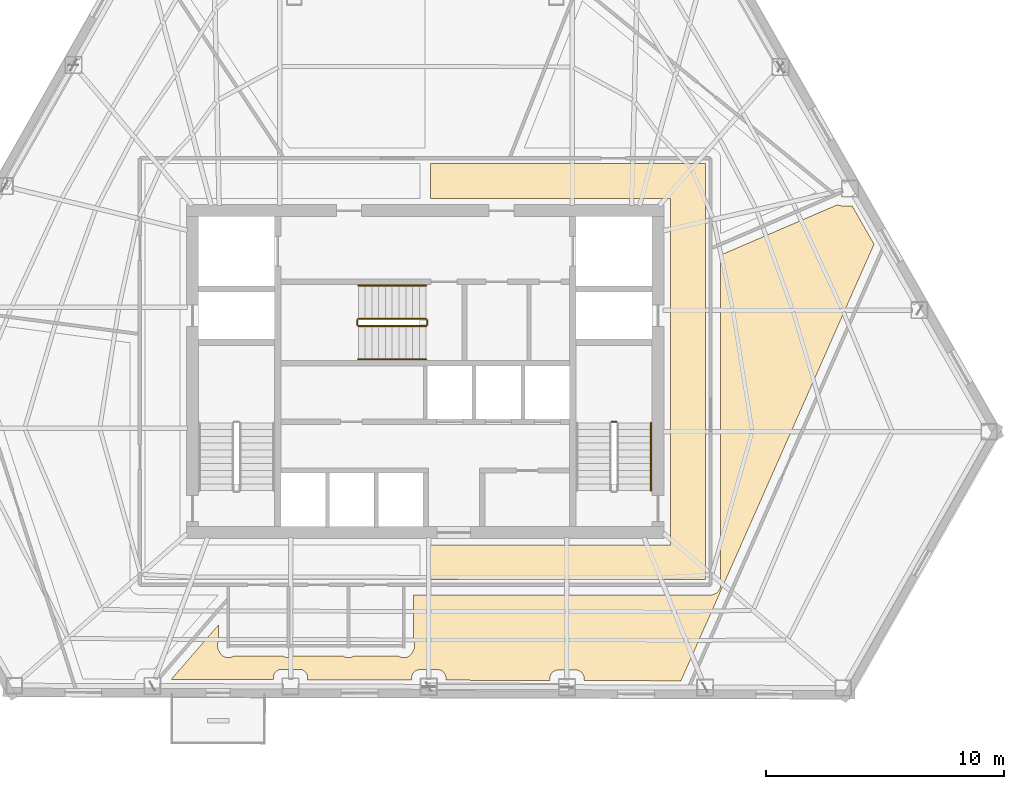
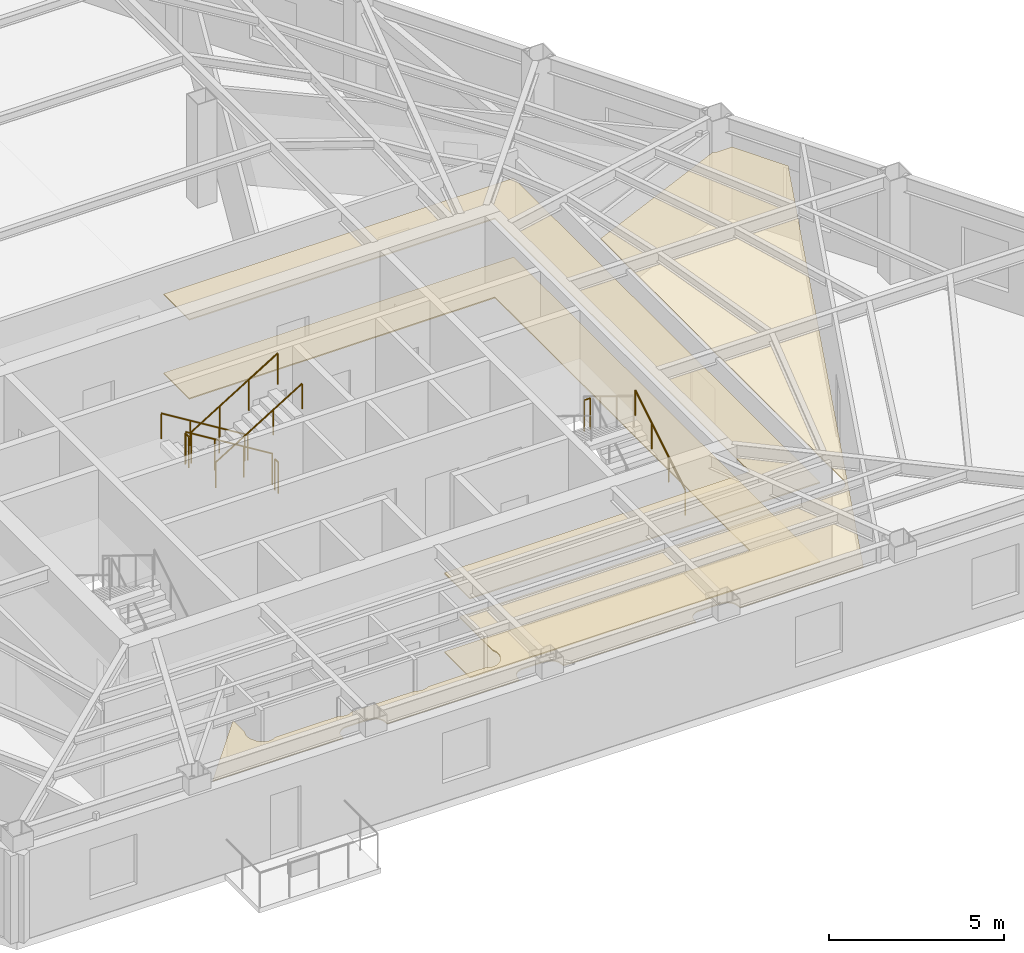
# One storey, part 12 of 13: 8 railings, 3 coverings.
"""IFC4 building model written with IfcOpenShell, lengths in metres."""

from ifc_helpers import new_model, si_unit, direction, frame, origin, origin_2d, place, context, subcontext, project, spatial, polyline, circle, outline, extrude, material, layer, layer_set, type_object, element, save


model = new_model("IFC4")

# Units and contexts
model_context = context("Model", 3, precision=1e-05, world=origin(), true_north=direction((0.0, 1.0)))
body_context = subcontext(model_context, "Body", "Model", "MODEL_VIEW")
ifc_project = project(units=[si_unit("LENGTHUNIT", "METRE"), si_unit("AREAUNIT", "SQUARE_METRE"), si_unit("VOLUMEUNIT", "CUBIC_METRE"), si_unit("PLANEANGLEUNIT", "RADIAN"), si_unit("MASSUNIT", "GRAM", prefix="KILO")], contexts=[model_context])

# Site, building, storey
site_placement = place(None, origin())
site = spatial("IfcSite", under=ifc_project, at=site_placement, CompositionType="ELEMENT")
building_placement = place(site_placement, origin())
building = spatial("IfcBuilding", under=site, at=building_placement, Name="Kavelnor Concourse Tower", CompositionType="ELEMENT")
storey_placement = place(building_placement, frame((0.0, 0.0, 97.050048828125)))
storey = spatial("IfcBuildingStorey", under=building, at=storey_placement, Name="L24", CompositionType="ELEMENT", Elevation=97.050048828125)

# Coverings
ifc_material_1 = material(Name="Mineral fibre acoustic ceiling tile")
ifc_layer_1 = layer(ifc_material_1, 0.0400390625, Name="Mineral fibre acoustic ceiling tile")
ifc_layer_set_1 = layer_set([ifc_layer_1], Name="Mineral fibre acoustic ceiling tile")
covering_type_1 = type_object("IfcCoveringType", Name="COV-CEILING-ACOUSTIC", PredefinedType="CEILING", material=ifc_layer_set_1)
covering_1_placement = place(storey_placement, frame((0.0, 0.0, 2.75)))
element("IfcCovering", 1, at=covering_1_placement, inside=storey, type_object=covering_type_1, Name="L24 Suspended Acoustic Ceiling", PredefinedType="CEILING", context=body_context, shape_type="SweptSolid", body=[
    extrude(outline(polyline([(49.75, 7.3701171875), (38.22509765625, 7.3701171875), (38.22509765625, 8.830078125), (48.2900390625, 8.830078125), (48.2900390625, 23.3701171875), (38.22509765625, 23.3701171875), (38.22509765625, 24.830078125), (49.75, 24.830078125), (49.75, 7.3701171875)])), origin(), (0.0, 0.0, 1.0), 0.0400390625),
])
covering_2_placement = place(storey_placement, frame((0.0, 0.0, 2.75)))
element("IfcCovering", 2, at=covering_2_placement, inside=storey, type_object=covering_type_1, Name="L24 Suspended Acoustic Ceiling", PredefinedType="CEILING", context=body_context, shape_type="SweptSolid", body=[
    extrude(outline(polyline([(29.3349609375, 5.481201171875), (29.3349609375, 4.79541015625), (29.33251953125, 4.791015625), (29.3154296875, 4.755126953125), (29.302001953125, 4.7177734375), (29.29248046875, 4.67919921875), (29.28662109375, 4.6396484375), (29.28466796875, 4.60009765625), (29.28662109375, 4.560302734375), (29.29248046875, 4.52099609375), (29.302001953125, 4.482421875), (29.3154296875, 4.44482421875), (29.33251953125, 4.408935546875), (29.352783203125, 4.374755859375), (29.3564453125, 4.3701171875), (29.365478515625, 4.344970703125), (29.382568359375, 4.308837890625), (29.40283203125, 4.27490234375), (29.426513671875, 4.242919921875), (29.453369140625, 4.21337890625), (29.48291015625, 4.1865234375), (29.514892578125, 4.162841796875), (29.548828125, 4.142578125), (29.5849609375, 4.12548828125), (29.622314453125, 4.112060546875), (29.660888671875, 4.102294921875), (29.7001953125, 4.096435546875), (29.739990234375, 4.094482421875), (29.77978515625, 4.096435546875), (29.819091796875, 4.102294921875), (29.857666015625, 4.112060546875), (29.89501953125, 4.12548828125), (29.93115234375, 4.142578125), (29.96044921875, 4.159912109375), (32.03955078125, 4.159912109375), (32.06884765625, 4.142578125), (32.10498046875, 4.12548828125), (32.142333984375, 4.112060546875), (32.180908203125, 4.102294921875), (32.22021484375, 4.096435546875), (32.260009765625, 4.094482421875), (32.2998046875, 4.096435546875), (32.339111328125, 4.102294921875), (32.377685546875, 4.112060546875), (32.4150390625, 4.12548828125), (32.451171875, 4.142578125), (32.48046875, 4.159912109375), (34.5595703125, 4.159912109375), (34.5888671875, 4.142578125), (34.625, 4.12548828125), (34.662353515625, 4.112060546875), (34.700927734375, 4.102294921875), (34.740234375, 4.096435546875), (34.780029296875, 4.094482421875), (34.819580078125, 4.096435546875), (34.859130859375, 4.102294921875), (34.897705078125, 4.112060546875), (34.93505859375, 4.12548828125), (34.97119140625, 4.142578125), (35.00048828125, 4.159912109375), (36.879638671875, 4.159912109375), (36.908935546875, 4.142578125), (36.94482421875, 4.12548828125), (36.982421875, 4.112060546875), (37.02099609375, 4.102294921875), (37.060302734375, 4.096435546875), (37.10009765625, 4.094482421875), (37.1396484375, 4.096435546875), (37.17919921875, 4.102294921875), (37.2177734375, 4.112060546875), (37.255126953125, 4.12548828125), (37.291015625, 4.142578125), (37.3251953125, 4.162841796875), (37.357177734375, 4.1865234375), (37.38671875, 4.21337890625), (37.413330078125, 4.242919921875), (37.43701171875, 4.27490234375), (37.45751953125, 4.308837890625), (37.474609375, 4.344970703125), (37.4833984375, 4.3701171875), (37.487060546875, 4.374755859375), (37.507568359375, 4.408935546875), (37.524658203125, 4.44482421875), (37.5380859375, 4.482421875), (37.547607421875, 4.52099609375), (37.553466796875, 4.560302734375), (37.555419921875, 4.60009765625), (37.553466796875, 4.6396484375), (37.547607421875, 4.67919921875), (37.5380859375, 4.7177734375), (37.524658203125, 4.755126953125), (37.507568359375, 4.791015625), (37.5048828125, 4.79541015625), (37.5048828125, 6.7275390625), (49.978271484375, 6.7275390625), (50.011474609375, 6.72900390625), (50.052490234375, 6.735107421875), (50.0927734375, 6.745361328125), (50.1318359375, 6.75927734375), (50.16943359375, 6.777099609375), (50.205078125, 6.79833984375), (50.23828125, 6.822998046875), (50.26904296875, 6.85107421875), (50.296875, 6.881591796875), (50.321533203125, 6.9150390625), (50.343017578125, 6.95068359375), (50.360595703125, 6.98828125), (50.374755859375, 7.027099609375), (50.384765625, 7.0673828125), (50.390869140625, 7.1083984375), (50.392578125, 7.1416015625), (50.392578125, 20.986572265625), (55.2939453125, 23.09814453125), (55.323486328125, 23.084228515625), (55.356689453125, 23.072265625), (55.39111328125, 23.063720703125), (55.426025390625, 23.05859375), (55.453125, 23.05712890625), (55.910400390625, 23.05712890625), (56.832275390625, 21.4443359375), (48.72998046875, 3.12255859375), (44.666015625, 3.1337890625), (44.666015625, 3.22412109375), (44.664794921875, 3.251220703125), (44.659423828125, 3.2861328125), (44.65087890625, 3.3203125), (44.638916015625, 3.353759765625), (44.623779296875, 3.3857421875), (44.605712890625, 3.416015625), (44.584716796875, 3.4443359375), (44.560791015625, 3.470703125), (44.53466796875, 3.494384765625), (44.506103515625, 3.515380859375), (44.475830078125, 3.53369140625), (44.44384765625, 3.548828125), (44.41064453125, 3.560791015625), (44.376220703125, 3.5693359375), (44.34130859375, 3.574462890625), (44.314208984375, 3.57568359375), (43.57763671875, 3.57568359375), (43.55078125, 3.574462890625), (43.515625, 3.5693359375), (43.4814453125, 3.560791015625), (43.447998046875, 3.548828125), (43.416015625, 3.53369140625), (43.3857421875, 3.515380859375), (43.357421875, 3.494384765625), (43.331298828125, 3.470703125), (43.307373046875, 3.4443359375), (43.286376953125, 3.416015625), (43.26806640625, 3.3857421875), (43.2529296875, 3.353759765625), (43.2412109375, 3.3203125), (43.232421875, 3.2861328125), (43.227294921875, 3.251220703125), (43.22607421875, 3.22412109375), (43.22607421875, 3.1376953125), (38.8671875, 3.14990234375), (38.8671875, 3.240234375), (38.86572265625, 3.267333984375), (38.860595703125, 3.30224609375), (38.85205078125, 3.336669921875), (38.840087890625, 3.369873046875), (38.824951171875, 3.40185546875), (38.806884765625, 3.43212890625), (38.78564453125, 3.460693359375), (38.761962890625, 3.48681640625), (38.735595703125, 3.510498046875), (38.707275390625, 3.53173828125), (38.677001953125, 3.5498046875), (38.64501953125, 3.56494140625), (38.61181640625, 3.576904296875), (38.577392578125, 3.58544921875), (38.54248046875, 3.5908203125), (38.515380859375, 3.592041015625), (37.77880859375, 3.592041015625), (37.751708984375, 3.5908203125), (37.716796875, 3.58544921875), (37.6826171875, 3.576904296875), (37.649169921875, 3.56494140625), (37.6171875, 3.5498046875), (37.5869140625, 3.53173828125), (37.55859375, 3.510498046875), (37.5322265625, 3.48681640625), (37.508544921875, 3.460693359375), (37.4873046875, 3.43212890625), (37.46923828125, 3.40185546875), (37.4541015625, 3.369873046875), (37.442138671875, 3.336669921875), (37.43359375, 3.30224609375), (37.428466796875, 3.267333984375), (37.427001953125, 3.240234375), (37.427001953125, 3.154052734375), (33.068359375, 3.166015625), (33.068359375, 3.25634765625), (33.06689453125, 3.283447265625), (33.061767578125, 3.318359375), (33.05322265625, 3.352783203125), (33.041259765625, 3.385986328125), (33.026123046875, 3.41796875), (33.008056640625, 3.4482421875), (32.98681640625, 3.476806640625), (32.963134765625, 3.5029296875), (32.93701171875, 3.526611328125), (32.908447265625, 3.5478515625), (32.878173828125, 3.56591796875), (32.84619140625, 3.5810546875), (32.81298828125, 3.593017578125), (32.778564453125, 3.6015625), (32.74365234375, 3.606689453125), (32.716552734375, 3.608154296875), (31.97998046875, 3.608154296875), (31.952880859375, 3.606689453125), (31.91796875, 3.6015625), (31.8837890625, 3.593017578125), (31.850341796875, 3.5810546875), (31.818359375, 3.56591796875), (31.7880859375, 3.5478515625), (31.759765625, 3.526611328125), (31.7333984375, 3.5029296875), (31.709716796875, 3.476806640625), (31.688720703125, 3.4482421875), (31.67041015625, 3.41796875), (31.6552734375, 3.385986328125), (31.643310546875, 3.352783203125), (31.634765625, 3.318359375), (31.629638671875, 3.283447265625), (31.62841796875, 3.25634765625), (31.62841796875, 3.170166015625), (27.340087890625, 3.18212890625), (29.3349609375, 5.481201171875)])), origin(), (0.0, 0.0, 1.0), 0.0400390625),
])
ifc_material_2 = material(Name="Honed bluestone and raised access floor finish", Category="masonry")
ifc_layer_2 = layer(ifc_material_2, 0.0400390625, Name="Honed bluestone and raised access floor finish")
ifc_layer_set_2 = layer_set([ifc_layer_2], Name="Honed bluestone and raised access floor finish")
covering_type_2 = type_object("IfcCoveringType", Name="COV-FLOOR-STONE", PredefinedType="FLOORING", material=ifc_layer_set_2)
covering_3_placement = place(storey_placement, frame((0.0, 0.0, 0.001953125)))
element("IfcCovering", 3, at=covering_3_placement, inside=storey, type_object=covering_type_2, Name="L24 Honed Bluestone Floor Finish", PredefinedType="FLOORING", context=body_context, shape_type="SweptSolid", body=[
    extrude(outline(polyline([(49.75, 7.3701171875), (38.22509765625, 7.3701171875), (38.22509765625, 8.830078125), (48.2900390625, 8.830078125), (48.2900390625, 23.3701171875), (38.22509765625, 23.3701171875), (38.22509765625, 24.830078125), (49.75, 24.830078125), (49.75, 7.3701171875)])), origin(), (0.0, 0.0, 1.0), 0.0400390625),
])

# Railings
ifc_material_3 = material(Name="Steel Grade 350", Category="steel")
railing_type_1 = type_object("IfcRailingType", Name="RLG-GUARD-1100", PredefinedType="GUARDRAIL", material=ifc_material_3)
railing_1_placement = place(storey_placement, frame((46.02001953125, 14.0, 1.925048828125)))
element("IfcRailing", 4, at=railing_1_placement, inside=storey, type_object=railing_type_1, Name="L24 ST2 stair guard 2", PredefinedType="GUARDRAIL", context=body_context, shape_type="SweptSolid", body=[
    extrude(circle(Radius=0.02392578125, at=origin_2d()), frame((0.0, 0.0, 1.076171875), z_axis=(-1.0, 0.0, 0.0), x_axis=(0.0, -1.0, 0.0)), (0.0, 0.0, 1.0), 0.199951171875),
    extrude(circle(Radius=0.02099609375, at=origin_2d()), origin(), (0.0, 0.0, 1.0), 1.052001953125),
    extrude(circle(Radius=0.02099609375, at=origin_2d()), frame((-0.199951171875, 0.0, 0.0)), (0.0, 0.0, 1.0), 1.052001953125),
])
railing_2_placement = place(storey_placement, frame((38.0400390625, 18.31005859375, 0.175048828125)))
element("IfcRailing", 5, at=railing_2_placement, inside=storey, type_object=railing_type_1, Name="L24 ST3 stair guard 1", PredefinedType="GUARDRAIL", context=body_context, shape_type="SweptSolid", body=[
    extrude(circle(Radius=0.02392578125, at=origin_2d()), frame((0.0, 0.0, 1.076171875), z_axis=(-0.852179220489, 0.0, 0.52325001306), x_axis=(0.0, -1.0, 0.0)), (0.0, 0.0, 1.0), 3.344482421875),
    extrude(circle(Radius=0.02099609375, at=origin_2d()), origin(), (0.0, 0.0, 1.0), 1.052001953125),
    extrude(circle(Radius=0.02099609375, at=origin_2d()), frame((-0.949951171875, 0.0, 0.583251953125)), (0.0, 0.0, 1.0), 1.052001953125),
    extrude(circle(Radius=0.02099609375, at=origin_2d()), frame((-1.900146484375, 0.0, 1.166748046875)), (0.0, 0.0, 1.0), 1.052001953125),
    extrude(circle(Radius=0.02099609375, at=origin_2d()), frame((-2.85009765625, 0.0, 1.75)), (0.0, 0.0, 1.0), 1.052001953125),
])
railing_3_placement = place(storey_placement, frame((35.139892578125, 18.260009765625, 1.925048828125)))
element("IfcRailing", 6, at=railing_3_placement, inside=storey, type_object=railing_type_1, Name="L24 ST3 stair guard 2", PredefinedType="GUARDRAIL", context=body_context, shape_type="SweptSolid", body=[
    extrude(circle(Radius=0.02392578125, at=origin_2d()), frame((0.0, 0.0, 1.076171875), z_axis=(0.0, -1.0, 0.0), x_axis=(1.0, 0.0, 0.0)), (0.0, 0.0, 1.0), 0.199951171875),
    extrude(circle(Radius=0.02099609375, at=origin_2d()), origin(), (0.0, 0.0, 1.0), 1.052001953125),
    extrude(circle(Radius=0.02099609375, at=origin_2d()), frame((0.0, -0.199951171875, 0.0)), (0.0, 0.0, 1.0), 1.052001953125),
])
railing_4_placement = place(storey_placement, frame((35.18994140625, 18.010009765625, 2.099853515625)))
element("IfcRailing", 7, at=railing_4_placement, inside=storey, type_object=railing_type_1, Name="L24 ST3 stair guard 3", PredefinedType="GUARDRAIL", context=body_context, shape_type="SweptSolid", body=[
    extrude(circle(Radius=0.02392578125, at=origin_2d()), frame((0.0, 0.0, 1.076171875), z_axis=(0.852179220489, 0.0, 0.52325001306), x_axis=(0.0, 1.0, 0.0)), (0.0, 0.0, 1.0), 3.344482421875),
    extrude(circle(Radius=0.02099609375, at=origin_2d()), origin(), (0.0, 0.0, 1.0), 1.052001953125),
    extrude(circle(Radius=0.02099609375, at=origin_2d()), frame((0.949951171875, 0.0, 0.583251953125)), (0.0, 0.0, 1.0), 1.052001953125),
    extrude(circle(Radius=0.02099609375, at=origin_2d()), frame((1.900146484375, 0.0, 1.166748046875)), (0.0, 0.0, 1.0), 1.052001953125),
    extrude(circle(Radius=0.02099609375, at=origin_2d()), frame((2.85009765625, 0.0, 1.75)), (0.0, 0.0, 1.0), 1.052001953125),
])
railing_5_placement = place(storey_placement, frame((38.090087890625, 18.260009765625, 0.0)))
element("IfcRailing", 8, at=railing_5_placement, inside=storey, type_object=railing_type_1, Name="L24 ST3 stair guard 4", PredefinedType="GUARDRAIL", context=body_context, shape_type="SweptSolid", body=[
    extrude(circle(Radius=0.02392578125, at=origin_2d()), frame((0.0, 0.0, 1.076171875), z_axis=(0.0, -1.0, 0.0), x_axis=(1.0, 0.0, 0.0)), (0.0, 0.0, 1.0), 0.199951171875),
    extrude(circle(Radius=0.02099609375, at=origin_2d()), origin(), (0.0, 0.0, 1.0), 1.052001953125),
    extrude(circle(Radius=0.02099609375, at=origin_2d()), frame((0.0, -0.199951171875, 0.0)), (0.0, 0.0, 1.0), 1.052001953125),
])
railing_type_2 = type_object("IfcRailingType", Name="RLG-HANDRAIL-900", PredefinedType="HANDRAIL", material=ifc_material_3)
railing_6_placement = place(storey_placement, frame((47.469970703125, 11.10009765625, 0.175048828125)))
element("IfcRailing", 9, at=railing_6_placement, inside=storey, type_object=railing_type_2, Name="L24 ST2 stair handrail 1", PredefinedType="HANDRAIL", context=body_context, shape_type="SweptSolid", body=[
    extrude(circle(Radius=0.02392578125, at=origin_2d()), frame((0.0, 0.0, 0.8759765625), z_axis=(0.0, 0.852159232446, 0.523282564737), x_axis=(-1.0, 0.0, 0.0)), (0.0, 0.0, 1.0), 3.34423828125),
    extrude(circle(Radius=0.02099609375, at=origin_2d()), origin(), (0.0, 0.0, 1.0), 0.851806640625),
    extrude(circle(Radius=0.02099609375, at=origin_2d()), frame((0.0, 0.949951171875, 0.583251953125)), (0.0, 0.0, 1.0), 0.851806640625),
    extrude(circle(Radius=0.02099609375, at=origin_2d()), frame((0.0, 1.89990234375, 1.166748046875)), (0.0, 0.0, 1.0), 0.851806640625),
    extrude(circle(Radius=0.02099609375, at=origin_2d()), frame((0.0, 2.849853515625, 1.75)), (0.0, 0.0, 1.0), 0.851806640625),
])
railing_7_placement = place(storey_placement, frame((38.0400390625, 19.7099609375, 0.175048828125)))
element("IfcRailing", 10, at=railing_7_placement, inside=storey, type_object=railing_type_2, Name="L24 ST3 stair handrail 1", PredefinedType="HANDRAIL", context=body_context, shape_type="SweptSolid", body=[
    extrude(circle(Radius=0.02392578125, at=origin_2d()), frame((0.0, 0.0, 0.8759765625), z_axis=(-0.852179220489, 0.0, 0.52325001306), x_axis=(0.0, -1.0, 0.0)), (0.0, 0.0, 1.0), 3.344482421875),
    extrude(circle(Radius=0.02099609375, at=origin_2d()), origin(), (0.0, 0.0, 1.0), 0.851806640625),
    extrude(circle(Radius=0.02099609375, at=origin_2d()), frame((-0.949951171875, 0.0, 0.583251953125)), (0.0, 0.0, 1.0), 0.851806640625),
    extrude(circle(Radius=0.02099609375, at=origin_2d()), frame((-1.900146484375, 0.0, 1.166748046875)), (0.0, 0.0, 1.0), 0.851806640625),
    extrude(circle(Radius=0.02099609375, at=origin_2d()), frame((-2.85009765625, 0.0, 1.75)), (0.0, 0.0, 1.0), 0.851806640625),
])
railing_8_placement = place(storey_placement, frame((35.18994140625, 16.610107421875, 2.099853515625)))
element("IfcRailing", 11, at=railing_8_placement, inside=storey, type_object=railing_type_2, Name="L24 ST3 stair handrail 2", PredefinedType="HANDRAIL", context=body_context, shape_type="SweptSolid", body=[
    extrude(circle(Radius=0.02392578125, at=origin_2d()), frame((0.0, 0.0, 0.8759765625), z_axis=(0.852179220489, 0.0, 0.52325001306), x_axis=(0.0, 1.0, 0.0)), (0.0, 0.0, 1.0), 3.344482421875),
    extrude(circle(Radius=0.02099609375, at=origin_2d()), origin(), (0.0, 0.0, 1.0), 0.851806640625),
    extrude(circle(Radius=0.02099609375, at=origin_2d()), frame((0.949951171875, 0.0, 0.583251953125)), (0.0, 0.0, 1.0), 0.851806640625),
    extrude(circle(Radius=0.02099609375, at=origin_2d()), frame((1.900146484375, 0.0, 1.166748046875)), (0.0, 0.0, 1.0), 0.851806640625),
    extrude(circle(Radius=0.02099609375, at=origin_2d()), frame((2.85009765625, 0.0, 1.75)), (0.0, 0.0, 1.0), 0.851806640625),
])

save(model, "model.ifc")
